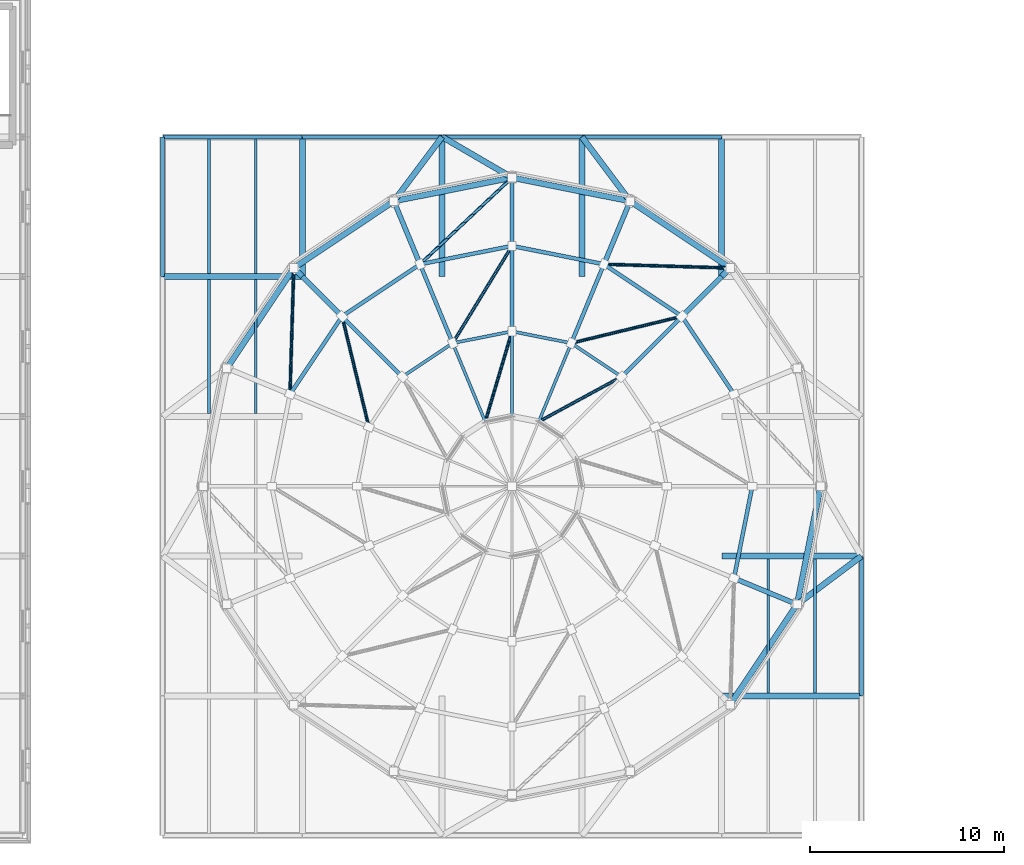
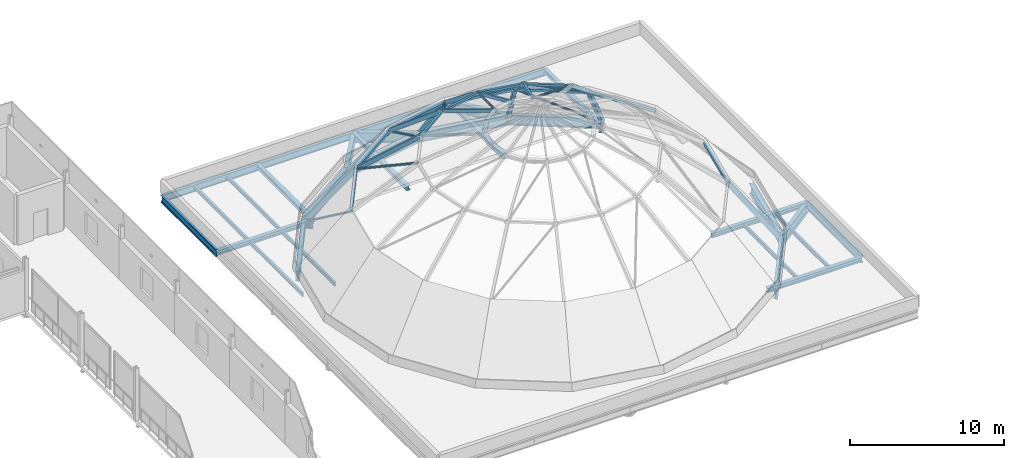
# One storey, part 15 of 66: 33 members, 32 beams.
"""IFC4 building model written with IfcOpenShell, lengths in metres."""

from ifc_helpers import new_model, si_unit, direction, frame, origin, origin_2d, place, context, subcontext, project, spatial, hollow_rectangle, hollow_circle, i_section, extrude, material, material_profile, profile_set, type_object, element, save


model = new_model("IFC4")

# Units and contexts
model_context = context("Model", 3, precision=1e-05, world=origin(), true_north=direction((0.0, 1.0)))
body_context = subcontext(model_context, "Body", "Model", "MODEL_VIEW")
ifc_project = project(units=[si_unit("LENGTHUNIT", "METRE"), si_unit("AREAUNIT", "SQUARE_METRE"), si_unit("VOLUMEUNIT", "CUBIC_METRE"), si_unit("PLANEANGLEUNIT", "RADIAN"), si_unit("MASSUNIT", "GRAM", prefix="KILO")], contexts=[model_context])

# Site, building, storey
site_placement = place(None, origin())
site = spatial("IfcSite", under=ifc_project, at=site_placement, CompositionType="ELEMENT")
building_placement = place(site_placement, origin())
building = spatial("IfcBuilding", under=site, at=building_placement, Name="Narikvali Park Central Library", CompositionType="ELEMENT")
storey_placement = place(building_placement, frame((0.0, 0.0, 18.60009765625)))
storey = spatial("IfcBuildingStorey", under=building, at=storey_placement, Name="L04", CompositionType="ELEMENT", Elevation=18.60009765625)

# Beams
ifc_material = material(Name="Steel S355", Category="steel")
ifc_material_profile_1 = material_profile(ifc_material, i_section(OverallWidth=0.300048828125, OverallDepth=0.800048828125, WebThickness=0.017578125, FlangeThickness=0.032958984375, FilletRadius=0.030029296875, at=origin_2d()), Name="HEB 800")
ifc_profile_set_1 = profile_set([ifc_material_profile_1], Name="Steel S355")
beam_type_1 = type_object("IfcBeamType", Name="Auditorium Long-Span Girder HEB800", PredefinedType="BEAM", material=ifc_profile_set_1)
beam_1_placement = place(storey_placement, frame((93.60009765625, 86.39990234375, -0.650146484375), z_axis=(0.706911905414, 0.707301603267, 0.0), x_axis=(-0.707301603267, 0.706911905414, 0.0)))
element("IfcBeam", 1, at=beam_1_placement, inside=storey, type_object=beam_type_1, Name="Dome Radial Ring Support Girder 03", PredefinedType="BEAM", context=body_context, shape_type="SweptSolid", body=[
    extrude(i_section(OverallWidth=0.300048828125, OverallDepth=0.800048828125, WebThickness=0.017578125, FlangeThickness=0.032958984375, FilletRadius=0.030029296875, at=origin_2d()), origin(), (0.0, 0.0, 1.0), 0.62646484375),
])
beam_2_placement = place(storey_placement, frame((94.04296875, 86.843017578125, -0.650146484375), z_axis=(-0.831456491701, 0.555589868886, 0.0), x_axis=(-0.555589868886, -0.831456491701, 0.0)))
element("IfcBeam", 2, at=beam_2_placement, inside=storey, type_object=beam_type_1, Name="Dome Tension Ring Beam Segment 03", PredefinedType="BEAM", context=body_context, shape_type="SweptSolid", body=[
    extrude(i_section(OverallWidth=0.300048828125, OverallDepth=0.800048828125, WebThickness=0.017578125, FlangeThickness=0.032958984375, FilletRadius=0.030029296875, at=origin_2d()), origin(), (0.0, 0.0, 1.0), 6.203857421875),
])
beam_3_placement = place(storey_placement, frame((86.39990234375, 93.60009765625, -0.650146484375), z_axis=(0.600330254363, -0.799752202683, 0.0), x_axis=(0.799752202683, 0.600330254363, 0.0)))
element("IfcBeam", 3, at=beam_3_placement, inside=storey, type_object=beam_type_1, Name="Dome Radial Ring Support Girder 04", PredefinedType="BEAM", context=body_context, shape_type="SweptSolid", body=[
    extrude(i_section(OverallWidth=0.300048828125, OverallDepth=0.800048828125, WebThickness=0.017578125, FlangeThickness=0.032958984375, FilletRadius=0.030029296875, at=origin_2d()), origin(), (0.0, 0.0, 1.0), 4.13916015625),
])
beam_4_placement = place(storey_placement, frame((88.884765625, 90.289794921875, -0.650146484375), z_axis=(-0.980788991919, 0.195071662037, 0.0), x_axis=(-0.195071662037, -0.980788991919, 0.0)))
element("IfcBeam", 4, at=beam_4_placement, inside=storey, type_object=beam_type_1, Name="Dome Tension Ring Beam Segment 04", PredefinedType="BEAM", context=body_context, shape_type="SweptSolid", body=[
    extrude(i_section(OverallWidth=0.300048828125, OverallDepth=0.800048828125, WebThickness=0.017578125, FlangeThickness=0.032958984375, FilletRadius=0.030029296875, at=origin_2d()), origin(), (0.0, 0.0, 1.0), 6.203857421875),
])
beam_5_placement = place(storey_placement, frame((79.199951171875, 93.60009765625, -0.650146484375), z_axis=(0.863774651768, -0.503878309678, 0.0), x_axis=(0.503878309678, 0.863774651768, 0.0)))
element("IfcBeam", 5, at=beam_5_placement, inside=storey, type_object=beam_type_1, Name="Dome Radial Ring Support Girder 05", PredefinedType="BEAM", context=body_context, shape_type="SweptSolid", body=[
    extrude(i_section(OverallWidth=0.300048828125, OverallDepth=0.800048828125, WebThickness=0.017578125, FlangeThickness=0.032958984375, FilletRadius=0.030029296875, at=origin_2d()), origin(), (0.0, 0.0, 1.0), 4.16796875),
])
beam_6_placement = place(storey_placement, frame((82.800048828125, 91.5, -0.650146484375), z_axis=(-0.980788991919, -0.195071662037, 0.0), x_axis=(0.195071662037, -0.980788991919, 0.0)))
element("IfcBeam", 6, at=beam_6_placement, inside=storey, type_object=beam_type_1, Name="Dome Tension Ring Beam Segment 05", PredefinedType="BEAM", context=body_context, shape_type="SweptSolid", body=[
    extrude(i_section(OverallWidth=0.300048828125, OverallDepth=0.800048828125, WebThickness=0.017578125, FlangeThickness=0.032958984375, FilletRadius=0.030029296875, at=origin_2d()), origin(), (0.0, 0.0, 1.0), 6.203857421875),
])
beam_7_placement = place(storey_placement, frame((79.199951171875, 93.60009765625, -0.650146484375), z_axis=(-0.60029252654, -0.799780521506, 0.0), x_axis=(0.799780521506, -0.60029252654, 0.0)))
element("IfcBeam", 7, at=beam_7_placement, inside=storey, type_object=beam_type_1, Name="Dome Radial Ring Support Girder 06", PredefinedType="BEAM", context=body_context, shape_type="SweptSolid", body=[
    extrude(i_section(OverallWidth=0.300048828125, OverallDepth=0.800048828125, WebThickness=0.017578125, FlangeThickness=0.032958984375, FilletRadius=0.030029296875, at=origin_2d()), origin(), (0.0, 0.0, 1.0), 4.138916015625),
])
beam_8_placement = place(storey_placement, frame((76.71533203125, 90.289794921875, -0.650146484375), z_axis=(-0.831468638685, -0.555571690139, 0.0), x_axis=(0.555571690139, -0.831468638685, 0.0)))
element("IfcBeam", 8, at=beam_8_placement, inside=storey, type_object=beam_type_1, Name="Dome Tension Ring Beam Segment 06", PredefinedType="BEAM", context=body_context, shape_type="SweptSolid", body=[
    extrude(i_section(OverallWidth=0.300048828125, OverallDepth=0.800048828125, WebThickness=0.017578125, FlangeThickness=0.032958984375, FilletRadius=0.030029296875, at=origin_2d()), origin(), (0.0, 0.0, 1.0), 6.2041015625),
])
beam_9_placement = place(storey_placement, frame((72.0, 86.39990234375, -0.650146484375), z_axis=(-0.707106781187, 0.707106781187, 0.0), x_axis=(-0.707106781187, -0.707106781187, 0.0)))
element("IfcBeam", 9, at=beam_9_placement, inside=storey, type_object=beam_type_1, Name="Dome Radial Ring Support Girder 07", PredefinedType="BEAM", context=body_context, shape_type="SweptSolid", body=[
    extrude(i_section(OverallWidth=0.300048828125, OverallDepth=0.800048828125, WebThickness=0.017578125, FlangeThickness=0.032958984375, FilletRadius=0.030029296875, at=origin_2d()), origin(), (0.0, 0.0, 1.0), 0.626708984375),
])
beam_10_placement = place(storey_placement, frame((71.556884765625, 86.843017578125, -0.650146484375), z_axis=(-0.555562662276, -0.831474670862, 0.0), x_axis=(0.831474670862, -0.555562662276, 0.0)))
element("IfcBeam", 10, at=beam_10_placement, inside=storey, type_object=beam_type_1, Name="Dome Tension Ring Beam Segment 07", PredefinedType="BEAM", context=body_context, shape_type="SweptSolid", body=[
    extrude(i_section(OverallWidth=0.300048828125, OverallDepth=0.800048828125, WebThickness=0.017578125, FlangeThickness=0.032958984375, FilletRadius=0.030029296875, at=origin_2d()), origin(), (0.0, 0.0, 1.0), 6.20361328125),
])
beam_11_placement = place(storey_placement, frame((94.04296875, 64.35693359375, -0.650146484375), z_axis=(0.555571690139, 0.831468638685, 0.0), x_axis=(-0.831468638685, 0.555571690139, 0.0)))
element("IfcBeam", 11, at=beam_11_placement, inside=storey, type_object=beam_type_1, Name="Dome Tension Ring Beam Segment 15", PredefinedType="BEAM", context=body_context, shape_type="SweptSolid", body=[
    extrude(i_section(OverallWidth=0.300048828125, OverallDepth=0.800048828125, WebThickness=0.017578125, FlangeThickness=0.032958984375, FilletRadius=0.030029296875, at=origin_2d()), origin(), (0.0, 0.0, 1.0), 6.2041015625),
])
beam_12_placement = place(storey_placement, frame((100.800048828125, 72.0, -0.650146484375), z_axis=(-0.799780521506, -0.60029252654, 0.0), x_axis=(0.60029252654, -0.799780521506, 0.0)))
element("IfcBeam", 12, at=beam_12_placement, inside=storey, type_object=beam_type_1, Name="Dome Radial Ring Support Girder 16", PredefinedType="BEAM", context=body_context, shape_type="SweptSolid", body=[
    extrude(i_section(OverallWidth=0.300048828125, OverallDepth=0.800048828125, WebThickness=0.017578125, FlangeThickness=0.032958984375, FilletRadius=0.030029296875, at=origin_2d()), origin(), (0.0, 0.0, 1.0), 4.138916015625),
])
beam_13_placement = place(storey_placement, frame((97.48974609375, 69.515380859375, -0.650146484375), z_axis=(0.195071662037, 0.980788991919, 0.0), x_axis=(-0.980788991919, 0.195071662037, 0.0)))
element("IfcBeam", 13, at=beam_13_placement, inside=storey, type_object=beam_type_1, Name="Dome Tension Ring Beam Segment 16", PredefinedType="BEAM", context=body_context, shape_type="SweptSolid", body=[
    extrude(i_section(OverallWidth=0.300048828125, OverallDepth=0.800048828125, WebThickness=0.017578125, FlangeThickness=0.032958984375, FilletRadius=0.030029296875, at=origin_2d()), origin(), (0.0, 0.0, 1.0), 6.203857421875),
])
ifc_material_profile_2 = material_profile(ifc_material, i_section(OverallWidth=0.14990234375, OverallDepth=0.300048828125, WebThickness=0.007080078125, FlangeThickness=0.0107421875, FilletRadius=0.014892578125, at=origin_2d()), Name="IPE 300")
ifc_profile_set_2 = profile_set([ifc_material_profile_2], Name="Steel S355")
beam_type_2 = type_object("IfcBeamType", Name="Composite Floor Joist IPE300", PredefinedType="JOIST", material=ifc_profile_set_2)
for number, where, z_axis, x_axis, name in (
    (14, (67.199951171875, 79.35009765625, -0.39013671875), (0.0, 1.0, 0.0), (-1.0, 0.0, 0.0), "V1 L04 Composite Joist 1"),
    (15, (69.60009765625, 79.35009765625, -0.39013671875), (0.0, 1.0, 0.0), (-1.0, 0.0, 0.0), "V1 L04 Composite Joist 2"),
):
    element("IfcBeam", number, at=place(storey_placement, frame(where, z_axis=z_axis, x_axis=x_axis)), inside=storey, type_object=beam_type_2, Name=name, PredefinedType="JOIST", context=body_context, shape_type="SweptSolid", body=[
        extrude(i_section(OverallWidth=0.14990234375, OverallDepth=0.300048828125, WebThickness=0.007080078125, FlangeThickness=0.0107421875, FilletRadius=0.014892578125, at=origin_2d()), origin(), (0.0, 0.0, 1.0), 6.89990234375),
    ])
for number, where, z_axis, x_axis, name in (
    (16, (67.199951171875, 86.550048828125, -0.39013671875), (0.0, 1.0, 0.0), (-1.0, 0.0, 0.0), "V1 L04 Composite Joist 1"),
    (17, (69.60009765625, 86.550048828125, -0.39013671875), (0.0, 1.0, 0.0), (-1.0, 0.0, 0.0), "V1 L04 Composite Joist 2"),
):
    element("IfcBeam", number, at=place(storey_placement, frame(where, z_axis=z_axis, x_axis=x_axis)), inside=storey, type_object=beam_type_2, Name=name, PredefinedType="JOIST", context=body_context, shape_type="SweptSolid", body=[
        extrude(i_section(OverallWidth=0.14990234375, OverallDepth=0.300048828125, WebThickness=0.007080078125, FlangeThickness=0.0107421875, FilletRadius=0.014892578125, at=origin_2d()), origin(), (0.0, 0.0, 1.0), 6.945068359375),
    ])
for number, where, z_axis, x_axis, name in (
    (18, (96.0, 64.949951171875, -0.39013671875), (0.0, 1.0, 0.0), (-1.0, 0.0, 0.0), "V1 L04 Composite Joist 1"),
    (19, (98.39990234375, 64.949951171875, -0.39013671875), (0.0, 1.0, 0.0), (-1.0, 0.0, 0.0), "V1 L04 Composite Joist 2"),
):
    element("IfcBeam", number, at=place(storey_placement, frame(where, z_axis=z_axis, x_axis=x_axis)), inside=storey, type_object=beam_type_2, Name=name, PredefinedType="JOIST", context=body_context, shape_type="SweptSolid", body=[
        extrude(i_section(OverallWidth=0.14990234375, OverallDepth=0.300048828125, WebThickness=0.007080078125, FlangeThickness=0.0107421875, FilletRadius=0.014892578125, at=origin_2d()), origin(), (0.0, 0.0, 1.0), 6.900146484375),
    ])

# Members
ifc_material_profile_3 = material_profile(ifc_material, hollow_rectangle(XDim=0.25, YDim=0.35009765625, WallThickness=0.012451171875, at=origin_2d()), Name="RHS 350x250x12.5")
ifc_profile_set_3 = profile_set([ifc_material_profile_3], Name="Steel S355")
member_type_1 = type_object("IfcMemberType", Name="Dome Base Arch Rib RHS350x250", PredefinedType="STRUT", material=ifc_profile_set_3)
member_1_placement = place(storey_placement, frame((94.04296875, 86.843017578125, -0.650146484375), z_axis=(-0.416458142345, -0.416458142345, 0.808161636895), x_axis=(0.707106781187, -0.707106781187, 0.0)))
element("IfcMember", 20, at=member_1_placement, inside=storey, type_object=member_type_1, Name="Main Reading Room Dome Meridional Rib T1-03", PredefinedType="STRUT", context=body_context, shape_type="SweptSolid", body=[
    extrude(hollow_rectangle(XDim=0.25, YDim=0.35009765625, WallThickness=0.012451171875, at=origin_2d()), origin(), (0.0, 0.0, 1.0), 5.9765625),
])
for number, where, z_axis, x_axis, name in (
    (21, (88.884765625, 90.289794921875, -0.650146484375), (-0.225402173927, -0.544143232852, 0.808147265126), (0.923873129188, -0.382698890989, 0.0), "Main Reading Room Dome Meridional Rib T1-04"),
    (22, (76.71533203125, 90.289794921875, -0.650146484375), (0.225402173927, -0.544143232852, 0.808147265126), (0.923873129188, 0.382698890989, 0.0), "Main Reading Room Dome Meridional Rib T1-06"),
):
    element("IfcMember", number, at=place(storey_placement, frame(where, z_axis=z_axis, x_axis=x_axis)), inside=storey, type_object=member_type_1, Name=name, PredefinedType="STRUT", context=body_context, shape_type="SweptSolid", body=[
        extrude(hollow_rectangle(XDim=0.25, YDim=0.35009765625, WallThickness=0.012451171875, at=origin_2d()), origin(), (0.0, 0.0, 1.0), 5.976806640625),
    ])
for number, where, z_axis, x_axis, name in (
    (23, (71.556884765625, 86.843017578125, -0.650146484375), (0.416458142345, -0.416458142345, 0.808161636895), (0.707106781187, 0.707106781187, 0.0), "Main Reading Room Dome Meridional Rib T1-07"),
    (24, (97.48974609375, 69.515380859375, -0.650146484375), (-0.544148242583, 0.22536340022, 0.808154705447), (-0.382639691566, -0.92389764933, 0.0), "Main Reading Room Dome Meridional Rib T1-16"),
):
    element("IfcMember", number, at=place(storey_placement, frame(where, z_axis=z_axis, x_axis=x_axis)), inside=storey, type_object=member_type_1, Name=name, PredefinedType="STRUT", context=body_context, shape_type="SweptSolid", body=[
        extrude(hollow_rectangle(XDim=0.25, YDim=0.35009765625, WallThickness=0.012451171875, at=origin_2d()), origin(), (0.0, 0.0, 1.0), 5.9765625),
    ])
ifc_material_profile_4 = material_profile(ifc_material, hollow_rectangle(XDim=0.199951171875, YDim=0.39990234375, WallThickness=0.01416015625, at=origin_2d()), Name="RHS 400x200x14.2")
ifc_profile_set_4 = profile_set([ifc_material_profile_4], Name="Steel S355")
member_type_2 = type_object("IfcMemberType", Name="Dome Cardinal Base Rib RHS400x200", PredefinedType="STRUT", material=ifc_profile_set_4)
member_2_placement = place(storey_placement, frame((82.800048828125, 91.5, -0.650146484375), z_axis=(0.0, -0.588963227106, 0.808159833892), x_axis=(1.0, 0.0, 0.0)))
element("IfcMember", 25, at=member_2_placement, inside=storey, type_object=member_type_2, Name="Main Reading Room Dome Meridional Rib T1-05", PredefinedType="STRUT", context=body_context, shape_type="SweptSolid", body=[
    extrude(hollow_rectangle(XDim=0.199951171875, YDim=0.39990234375, WallThickness=0.01416015625, at=origin_2d()), origin(), (0.0, 0.0, 1.0), 5.9765625),
])
ifc_material_profile_5 = material_profile(ifc_material, hollow_rectangle(XDim=0.199951171875, YDim=0.199951171875, WallThickness=0.012451171875, at=origin_2d()), Name="SHS 200x200x12.5")
ifc_profile_set_5 = profile_set([ifc_material_profile_5], Name="Steel S355")
member_type_3 = type_object("IfcMemberType", Name="Dome Hoop Ring Purlin SHS200x200", PredefinedType="PURLIN", material=ifc_profile_set_5)
for number, where, z_axis, x_axis, name in (
    (26, (94.237548828125, 80.337646484375, 4.179931640625), (-0.55556300793, 0.831474439907, 0.0), (-0.831474439907, -0.55556300793, 0.0), "Main Reading Room Dome Hoop Ring T1-02"),
    (27, (91.553955078125, 84.35400390625, 4.179931640625), (-0.831474439907, 0.55556300793, 0.0), (-0.55556300793, -0.831474439907, 0.0), "Main Reading Room Dome Hoop Ring T1-03"),
    (28, (87.53759765625, 87.03759765625, 4.179931640625), (-0.980784259997, 0.195095451873, 0.0), (-0.195095451873, -0.980784259997, 0.0), "Main Reading Room Dome Hoop Ring T1-04"),
    (29, (82.800048828125, 87.97998046875, 4.179931640625), (-0.980784259997, -0.195095451873, 0.0), (0.195095451873, -0.980784259997, 0.0), "Main Reading Room Dome Hoop Ring T1-05"),
):
    element("IfcMember", number, at=place(storey_placement, frame(where, z_axis=z_axis, x_axis=x_axis)), inside=storey, type_object=member_type_3, Name=name, PredefinedType="PURLIN", context=body_context, shape_type="SweptSolid", body=[
        extrude(hollow_rectangle(XDim=0.199951171875, YDim=0.199951171875, WallThickness=0.012451171875, at=origin_2d()), origin(), (0.0, 0.0, 1.0), 4.830322265625),
    ])
member_3_placement = place(storey_placement, frame((78.0625, 87.03759765625, 4.179931640625), z_axis=(-0.831490038875, -0.555539661276, 0.0), x_axis=(0.555539661276, -0.831490038875, 0.0)))
element("IfcMember", 30, at=member_3_placement, inside=storey, type_object=member_type_3, Name="Main Reading Room Dome Hoop Ring T1-06", PredefinedType="PURLIN", context=body_context, shape_type="SweptSolid", body=[
    extrude(hollow_rectangle(XDim=0.199951171875, YDim=0.199951171875, WallThickness=0.012451171875, at=origin_2d()), origin(), (0.0, 0.0, 1.0), 4.83056640625),
])
member_4_placement = place(storey_placement, frame((74.0458984375, 84.35400390625, 4.179931640625), z_axis=(-0.55556300793, -0.831474439907, 0.0), x_axis=(0.831474439907, -0.55556300793, 0.0)))
element("IfcMember", 31, at=member_4_placement, inside=storey, type_object=member_type_3, Name="Main Reading Room Dome Hoop Ring T1-07", PredefinedType="PURLIN", context=body_context, shape_type="SweptSolid", body=[
    extrude(hollow_rectangle(XDim=0.199951171875, YDim=0.199951171875, WallThickness=0.012451171875, at=origin_2d()), origin(), (0.0, 0.0, 1.0), 4.830322265625),
])
member_5_placement = place(storey_placement, frame((94.237548828125, 70.8623046875, 4.179931640625), z_axis=(0.19508578114, 0.980786183629, 0.0), x_axis=(-0.980786183629, 0.19508578114, 0.0)))
element("IfcMember", 32, at=member_5_placement, inside=storey, type_object=member_type_3, Name="Main Reading Room Dome Hoop Ring T1-16", PredefinedType="PURLIN", context=body_context, shape_type="SweptSolid", body=[
    extrude(hollow_rectangle(XDim=0.199951171875, YDim=0.199951171875, WallThickness=0.012451171875, at=origin_2d()), origin(), (0.0, 0.0, 1.0), 4.83056640625),
])
ifc_material_profile_6 = material_profile(ifc_material, hollow_circle(Radius=0.084228515625, WallThickness=0.010009765625, at=origin_2d()), Name="CHS 168.3x10")
ifc_profile_set_6 = profile_set([ifc_material_profile_6], Name="Steel S355")
member_type_4 = type_object("IfcMemberType", Name="Dome Lower Wind Brace CHS168x10", PredefinedType="BRACE", material=ifc_profile_set_6)
for number, where, z_axis, x_axis, name in (
    (33, (94.04296875, 86.843017578125, -0.650146484375), (-0.802659114069, 0.024008080534, 0.59595466159), (-0.029897309971, -0.999552975513, 0.0), "Dome Wind Diagonal Brace T1-03"),
    (34, (82.800048828125, 91.5, -0.650146484375), (-0.584539404347, -0.550590632964, 0.59595607192), (0.685652493259, -0.727929020226, 0.0), "Dome Wind Diagonal Brace T1-05"),
    (35, (71.556884765625, 86.843017578125, -0.650146484375), (-0.024008080534, -0.802659114069, 0.59595466159), (0.999552975513, -0.029897309971, 0.0), "Dome Wind Diagonal Brace T1-07"),
):
    element("IfcMember", number, at=place(storey_placement, frame(where, z_axis=z_axis, x_axis=x_axis)), inside=storey, type_object=member_type_4, Name=name, PredefinedType="BRACE", context=body_context, shape_type="SweptSolid", body=[
        extrude(hollow_circle(Radius=0.084228515625, WallThickness=0.010009765625, at=origin_2d()), origin(), (0.0, 0.0, 1.0), 8.104736328125),
    ])
ifc_material_profile_7 = material_profile(ifc_material, hollow_rectangle(XDim=0.199951171875, YDim=0.300048828125, WallThickness=0.012451171875, at=origin_2d()), Name="RHS 300x200x12.5")
ifc_profile_set_7 = profile_set([ifc_material_profile_7], Name="Steel S355")
member_type_5 = type_object("IfcMemberType", Name="Dome Meridional Arch Rib RHS300x200", PredefinedType="STRUT", material=ifc_profile_set_7)
for number, where, z_axis, x_axis, name in (
    (36, (91.553955078125, 84.35400390625, 4.179931640625), (-0.555842018751, -0.555842018751, 0.618125634788), (0.707106781187, -0.707106781187, 0.0), "Main Reading Room Dome Meridional Rib T2-03"),
    (37, (87.53759765625, 87.03759765625, 4.179931640625), (-0.300827399064, -0.726225343544, 0.618142076198), (0.923872780145, -0.382699733613, 0.0), "Main Reading Room Dome Meridional Rib T2-04"),
    (38, (82.800048828125, 87.97998046875, 4.179931640625), (0.0, -0.786067028411, 0.618141267709), (1.0, 0.0, 0.0), "Main Reading Room Dome Meridional Rib T2-05"),
):
    element("IfcMember", number, at=place(storey_placement, frame(where, z_axis=z_axis, x_axis=x_axis)), inside=storey, type_object=member_type_5, Name=name, PredefinedType="STRUT", context=body_context, shape_type="SweptSolid", body=[
        extrude(hollow_rectangle(XDim=0.199951171875, YDim=0.300048828125, WallThickness=0.012451171875, at=origin_2d()), origin(), (0.0, 0.0, 1.0), 5.597412109375),
    ])
member_6_placement = place(storey_placement, frame((78.0625, 87.03759765625, 4.179931640625), z_axis=(0.300787728371, -0.72623487201, 0.618150186554), x_axis=(0.923892397959, 0.38265237095, 0.0)))
element("IfcMember", 39, at=member_6_placement, inside=storey, type_object=member_type_5, Name="Main Reading Room Dome Meridional Rib T2-06", PredefinedType="STRUT", context=body_context, shape_type="SweptSolid", body=[
    extrude(hollow_rectangle(XDim=0.199951171875, YDim=0.300048828125, WallThickness=0.012451171875, at=origin_2d()), origin(), (0.0, 0.0, 1.0), 5.59716796875),
])
member_7_placement = place(storey_placement, frame((74.0458984375, 84.35400390625, 4.179931640625), z_axis=(0.555842018751, -0.555842018751, 0.618125634788), x_axis=(0.707106781187, 0.707106781187, 0.0)))
element("IfcMember", 40, at=member_7_placement, inside=storey, type_object=member_type_5, Name="Main Reading Room Dome Meridional Rib T2-07", PredefinedType="STRUT", context=body_context, shape_type="SweptSolid", body=[
    extrude(hollow_rectangle(XDim=0.199951171875, YDim=0.300048828125, WallThickness=0.012451171875, at=origin_2d()), origin(), (0.0, 0.0, 1.0), 5.597412109375),
])
ifc_material_profile_8 = material_profile(ifc_material, hollow_rectangle(XDim=0.14990234375, YDim=0.25, WallThickness=0.010009765625, at=origin_2d()), Name="RHS 250x150x10")
ifc_profile_set_8 = profile_set([ifc_material_profile_8], Name="Steel S355")
member_type_6 = type_object("IfcMemberType", Name="Dome Upper Arch Rib RHS250x150", PredefinedType="STRUT", material=ifc_profile_set_8)
for number, where, z_axis, x_axis, name in (
    (41, (85.853759765625, 82.97265625, 7.639892578125), (-0.351051769348, -0.847586755563, 0.397943899354), (0.923891155249, -0.38265537139, 0.0), "Main Reading Room Dome Meridional Rib T3-04"),
    (42, (82.800048828125, 83.580078125, 7.639892578125), (0.0, -0.917414407887, 0.397933165497), (1.0, 0.0, 0.0), "Main Reading Room Dome Meridional Rib T3-05"),
    (43, (79.74609375, 82.97265625, 7.639892578125), (0.351096602675, -0.847571539374, 0.397936755319), (0.923871448561, 0.382702948164, 0.0), "Main Reading Room Dome Meridional Rib T3-06"),
):
    element("IfcMember", number, at=place(storey_placement, frame(where, z_axis=z_axis, x_axis=x_axis)), inside=storey, type_object=member_type_6, Name=name, PredefinedType="STRUT", context=body_context, shape_type="SweptSolid", body=[
        extrude(hollow_rectangle(XDim=0.14990234375, YDim=0.25, WallThickness=0.010009765625, at=origin_2d()), origin(), (0.0, 0.0, 1.0), 4.7744140625),
    ])
ifc_material_profile_9 = material_profile(ifc_material, hollow_rectangle(XDim=0.159912109375, YDim=0.159912109375, WallThickness=0.010009765625, at=origin_2d()), Name="SHS 160x160x10")
ifc_profile_set_9 = profile_set([ifc_material_profile_9], Name="Steel S355")
member_type_7 = type_object("IfcMemberType", Name="Dome Upper Hoop Purlin SHS160x160", PredefinedType="PURLIN", material=ifc_profile_set_9)
member_8_placement = place(storey_placement, frame((88.442626953125, 81.24267578125, 7.639892578125), z_axis=(-0.831446658044, 0.555604584959, 0.0), x_axis=(-0.555604584959, -0.831446658044, 0.0)))
element("IfcMember", 44, at=member_8_placement, inside=storey, type_object=member_type_7, Name="Main Reading Room Dome Hoop Ring T2-03", PredefinedType="PURLIN", context=body_context, shape_type="SweptSolid", body=[
    extrude(hollow_rectangle(XDim=0.159912109375, YDim=0.159912109375, WallThickness=0.010009765625, at=origin_2d()), origin(), (0.0, 0.0, 1.0), 3.11376953125),
])
member_9_placement = place(storey_placement, frame((85.853759765625, 82.97265625, 7.639892578125), z_axis=(-0.980785218756, 0.195090631937, 0.0), x_axis=(-0.195090631937, -0.980785218756, 0.0)))
element("IfcMember", 45, at=member_9_placement, inside=storey, type_object=member_type_7, Name="Main Reading Room Dome Hoop Ring T2-04", PredefinedType="PURLIN", context=body_context, shape_type="SweptSolid", body=[
    extrude(hollow_rectangle(XDim=0.159912109375, YDim=0.159912109375, WallThickness=0.010009765625, at=origin_2d()), origin(), (0.0, 0.0, 1.0), 3.113525390625),
])
for number, where, z_axis, x_axis, name in (
    (46, (82.800048828125, 83.580078125, 7.639892578125), (-0.980788202825, -0.195075629437, 0.0), (0.195075629437, -0.980788202825, 0.0), "Main Reading Room Dome Hoop Ring T2-05"),
    (47, (79.74609375, 82.97265625, 7.639892578125), (-0.831446658044, -0.555604584959, 0.0), (0.555604584959, -0.831446658044, 0.0), "Main Reading Room Dome Hoop Ring T2-06"),
):
    element("IfcMember", number, at=place(storey_placement, frame(where, z_axis=z_axis, x_axis=x_axis)), inside=storey, type_object=member_type_7, Name=name, PredefinedType="PURLIN", context=body_context, shape_type="SweptSolid", body=[
        extrude(hollow_rectangle(XDim=0.159912109375, YDim=0.159912109375, WallThickness=0.010009765625, at=origin_2d()), origin(), (0.0, 0.0, 1.0), 3.11376953125),
    ])
ifc_material_profile_10 = material_profile(ifc_material, hollow_circle(Radius=0.084228515625, WallThickness=0.008056640625, at=origin_2d()), Name="CHS 168.3x8")
ifc_profile_set_10 = profile_set([ifc_material_profile_10], Name="Steel S355")
member_type_8 = type_object("IfcMemberType", Name="Dome Wind Diagonal Brace CHS168", PredefinedType="BRACE", material=ifc_profile_set_10)
for number, where, z_axis, x_axis, name in (
    (48, (91.553955078125, 84.35400390625, 4.179931640625), (-0.837072997569, -0.202850737547, 0.508094848447), (0.235516629506, -0.971870319141, 0.0), "Dome Wind Diagonal Brace T2-03"),
    (49, (82.800048828125, 87.97998046875, 4.179931640625), (-0.448474921749, -0.735328215291, 0.508097097372), (0.853742469446, -0.520695492457, 0.0), "Dome Wind Diagonal Brace T2-05"),
):
    element("IfcMember", number, at=place(storey_placement, frame(where, z_axis=z_axis, x_axis=x_axis)), inside=storey, type_object=member_type_8, Name=name, PredefinedType="BRACE", context=body_context, shape_type="SweptSolid", body=[
        extrude(hollow_circle(Radius=0.084228515625, WallThickness=0.008056640625, at=origin_2d()), origin(), (0.0, 0.0, 1.0), 6.8095703125),
    ])
member_10_placement = place(storey_placement, frame((74.0458984375, 84.35400390625, 4.179931640625), z_axis=(0.202885113939, -0.837066909392, 0.508091152986), x_axis=(0.971860790729, 0.235555945466, 0.0)))
element("IfcMember", 50, at=member_10_placement, inside=storey, type_object=member_type_8, Name="Dome Wind Diagonal Brace T2-07", PredefinedType="BRACE", context=body_context, shape_type="SweptSolid", body=[
    extrude(hollow_circle(Radius=0.084228515625, WallThickness=0.008056640625, at=origin_2d()), origin(), (0.0, 0.0, 1.0), 6.809814453125),
])
for number, where, z_axis, x_axis, name in (
    (51, (88.442626953125, 81.24267578125, 7.639892578125), (-0.818270311144, -0.444476900936, 0.364518836872), (0.47731830246, -0.878730469562, 0.0), "Dome Wind Diagonal Brace T3-03"),
    (52, (82.800048828125, 83.580078125, 7.639892578125), (-0.264315383925, -0.89290167708, 0.364505106806), (0.958870645497, -0.283843416699, 0.0), "Dome Wind Diagonal Brace T3-05"),
):
    element("IfcMember", number, at=place(storey_placement, frame(where, z_axis=z_axis, x_axis=x_axis)), inside=storey, type_object=member_type_8, Name=name, PredefinedType="BRACE", context=body_context, shape_type="SweptSolid", body=[
        extrude(hollow_circle(Radius=0.084228515625, WallThickness=0.008056640625, at=origin_2d()), origin(), (0.0, 0.0, 1.0), 5.212158203125),
    ])

# Beams
ifc_material_profile_11 = material_profile(ifc_material, i_section(OverallWidth=0.2099609375, OverallDepth=0.550048828125, WebThickness=0.010986328125, FlangeThickness=0.01708984375, FilletRadius=0.02392578125, at=origin_2d()), Name="IPE 550")
ifc_profile_set_11 = profile_set([ifc_material_profile_11], Name="Steel S355")
beam_type_3 = type_object("IfcBeamType", Name="Perimeter Spandrel IPE550", PredefinedType="SPANDREL", material=ifc_profile_set_11)
for number, where, z_axis, x_axis, name in (
    (53, (64.80810546875, 93.60009765625, -0.51513671875), (1.0, 0.0, 0.0), (0.0, 1.0, 0.0), "V1 L04 Girder X"),
    (54, (72.008056640625, 93.60009765625, -0.51513671875), (1.0, 0.0, 0.0), (0.0, 1.0, 0.0), "V1 L04 Girder X"),
):
    element("IfcBeam", number, at=place(storey_placement, frame(where, z_axis=z_axis, x_axis=x_axis)), inside=storey, type_object=beam_type_3, Name=name, PredefinedType="SPANDREL", context=body_context, shape_type="SweptSolid", body=[
        extrude(i_section(OverallWidth=0.2099609375, OverallDepth=0.550048828125, WebThickness=0.010986328125, FlangeThickness=0.01708984375, FilletRadius=0.02392578125, at=origin_2d()), origin(), (0.0, 0.0, 1.0), 7.183837890625),
    ])
for number, where, z_axis, x_axis, name in (
    (55, (79.2080078125, 93.60009765625, -0.51513671875), (1.0, 0.0, 0.0), (0.0, 1.0, 0.0), "V1 L04 Girder X"),
    (56, (86.407958984375, 93.60009765625, -0.51513671875), (1.0, 0.0, 0.0), (0.0, 1.0, 0.0), "V1 L04 Girder X"),
    (57, (64.800048828125, 86.407958984375, -0.51513671875), (0.0, 1.0, 0.0), (-1.0, 0.0, 0.0), "V1 L04 Girder Y"),
):
    element("IfcBeam", number, at=place(storey_placement, frame(where, z_axis=z_axis, x_axis=x_axis)), inside=storey, type_object=beam_type_3, Name=name, PredefinedType="SPANDREL", context=body_context, shape_type="SweptSolid", body=[
        extrude(i_section(OverallWidth=0.2099609375, OverallDepth=0.550048828125, WebThickness=0.010986328125, FlangeThickness=0.01708984375, FilletRadius=0.02392578125, at=origin_2d()), origin(), (0.0, 0.0, 1.0), 7.18408203125),
    ])
beam_14_placement = place(storey_placement, frame((100.800048828125, 64.80810546875, -0.51513671875), z_axis=(0.0, 1.0, 0.0), x_axis=(-1.0, 0.0, 0.0)))
element("IfcBeam", 58, at=beam_14_placement, inside=storey, type_object=beam_type_3, Name="V1 L04 Girder Y", PredefinedType="SPANDREL", context=body_context, shape_type="SweptSolid", body=[
    extrude(i_section(OverallWidth=0.2099609375, OverallDepth=0.550048828125, WebThickness=0.010986328125, FlangeThickness=0.01708984375, FilletRadius=0.02392578125, at=origin_2d()), origin(), (0.0, 0.0, 1.0), 7.183837890625),
])
ifc_material_profile_12 = material_profile(ifc_material, i_section(OverallWidth=0.300048828125, OverallDepth=0.35009765625, WebThickness=0.010009765625, FlangeThickness=0.017578125, FilletRadius=0.027099609375, at=origin_2d()), Name="HEA 360")
ifc_profile_set_12 = profile_set([ifc_material_profile_12], Name="Steel S355")
beam_type_4 = type_object("IfcBeamType", Name="Primary Girder HEA360", PredefinedType="BEAM", material=ifc_profile_set_12)
for number, where, z_axis, x_axis, name in (
    (59, (72.0, 86.407958984375, -0.4150390625), (0.0, 1.0, 0.0), (-1.0, 0.0, 0.0), "V1 L04 Girder Y"),
    (60, (79.199951171875, 86.407958984375, -0.4150390625), (0.0, 1.0, 0.0), (-1.0, 0.0, 0.0), "V1 L04 Girder Y"),
    (61, (86.39990234375, 86.407958984375, -0.4150390625), (0.0, 1.0, 0.0), (-1.0, 0.0, 0.0), "V1 L04 Girder Y"),
    (62, (93.60009765625, 86.407958984375, -0.4150390625), (0.0, 1.0, 0.0), (-1.0, 0.0, 0.0), "V1 L04 Girder Y"),
):
    element("IfcBeam", number, at=place(storey_placement, frame(where, z_axis=z_axis, x_axis=x_axis)), inside=storey, type_object=beam_type_4, Name=name, PredefinedType="BEAM", context=body_context, shape_type="SweptSolid", body=[
        extrude(i_section(OverallWidth=0.300048828125, OverallDepth=0.35009765625, WebThickness=0.010009765625, FlangeThickness=0.017578125, FilletRadius=0.027099609375, at=origin_2d()), origin(), (0.0, 0.0, 1.0), 7.18408203125),
    ])
ifc_material_profile_13 = material_profile(ifc_material, i_section(OverallWidth=0.300048828125, OverallDepth=0.360107421875, WebThickness=0.012451171875, FlangeThickness=0.0224609375, FilletRadius=0.027099609375, at=origin_2d()), Name="HEB 360")
ifc_profile_set_13 = profile_set([ifc_material_profile_13], Name="Steel S355")
beam_type_5 = type_object("IfcBeamType", Name="Upper Gallery Girder HEB360", PredefinedType="BEAM", material=ifc_profile_set_13)
for number, where, z_axis, x_axis, name in (
    (63, (93.60791015625, 64.800048828125, -0.420166015625), (1.0, 0.0, 0.0), (0.0, 1.0, 0.0), "V1 L04 Girder X"),
    (64, (93.60791015625, 72.0, -0.420166015625), (1.0, 0.0, 0.0), (0.0, 1.0, 0.0), "V1 L04 Girder X"),
):
    element("IfcBeam", number, at=place(storey_placement, frame(where, z_axis=z_axis, x_axis=x_axis)), inside=storey, type_object=beam_type_5, Name=name, PredefinedType="BEAM", context=body_context, shape_type="SweptSolid", body=[
        extrude(i_section(OverallWidth=0.300048828125, OverallDepth=0.360107421875, WebThickness=0.012451171875, FlangeThickness=0.0224609375, FilletRadius=0.027099609375, at=origin_2d()), origin(), (0.0, 0.0, 1.0), 7.18408203125),
    ])
beam_15_placement = place(storey_placement, frame((64.80810546875, 86.39990234375, -0.420166015625), z_axis=(1.0, 0.0, 0.0), x_axis=(0.0, 1.0, 0.0)))
element("IfcBeam", 65, at=beam_15_placement, inside=storey, type_object=beam_type_5, Name="V1 L04 Girder X", PredefinedType="BEAM", context=body_context, shape_type="SweptSolid", body=[
    extrude(i_section(OverallWidth=0.300048828125, OverallDepth=0.360107421875, WebThickness=0.012451171875, FlangeThickness=0.0224609375, FilletRadius=0.027099609375, at=origin_2d()), origin(), (0.0, 0.0, 1.0), 7.183837890625),
])

save(model, "model.ifc")
